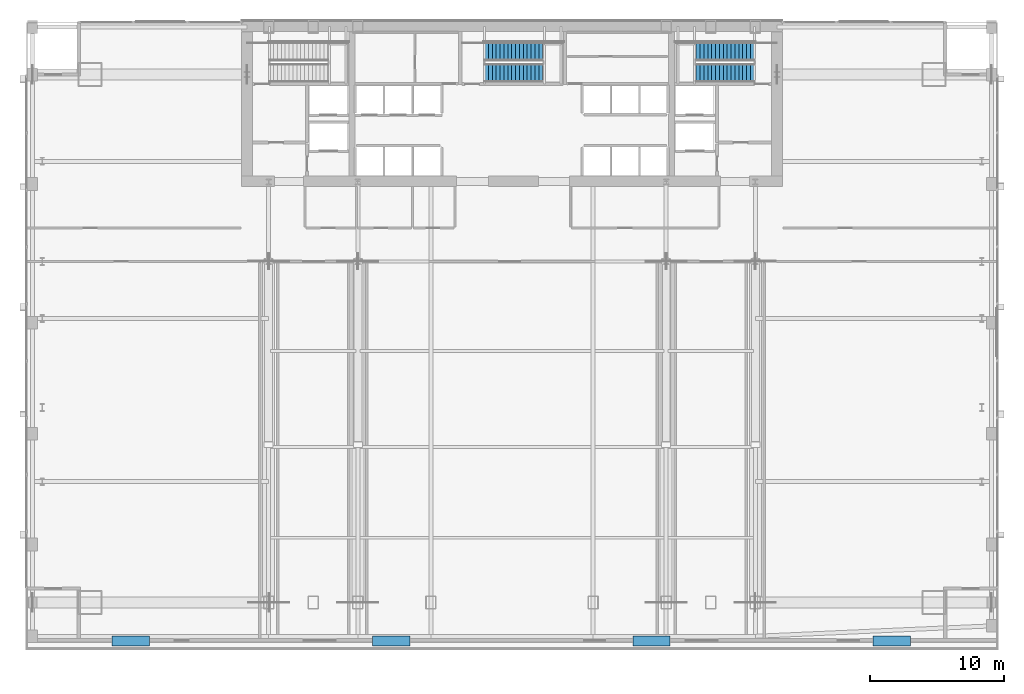
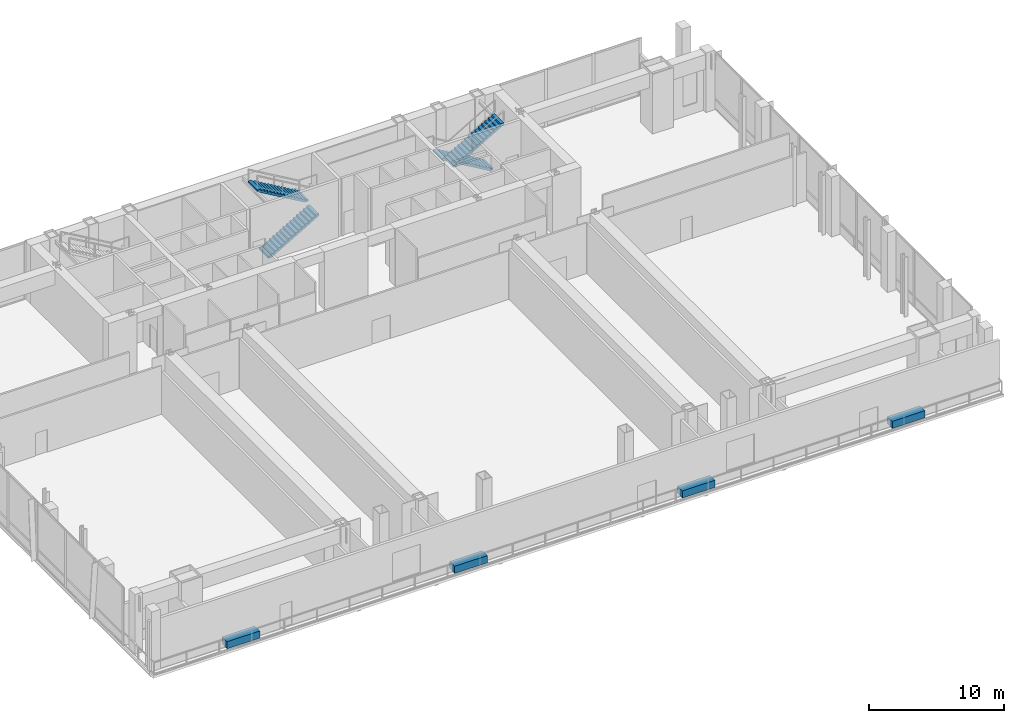
# One storey, part 23 of 26: 4 discrete accessories, 4 stair flights, 2 elements without a shape of their own.
"""IFC4 building model written with IfcOpenShell, lengths in metres."""

from ifc_helpers import new_model, si_unit, direction, frame, origin, place, context, subcontext, project, spatial, polyline, outline, extrude, material, type_object, element, aggregate, save


model = new_model("IFC4")

# Units and contexts
model_context = context("Model", 3, precision=1e-05, world=origin(), true_north=direction((0.0, 1.0)))
body_context = subcontext(model_context, "Body", "Model", "MODEL_VIEW")
ifc_project = project(units=[si_unit("LENGTHUNIT", "METRE"), si_unit("AREAUNIT", "SQUARE_METRE"), si_unit("VOLUMEUNIT", "CUBIC_METRE"), si_unit("PLANEANGLEUNIT", "RADIAN"), si_unit("MASSUNIT", "GRAM", prefix="KILO")], contexts=[model_context])

# Site, building, storey
site_placement = place(None, origin())
site = spatial("IfcSite", under=ifc_project, at=site_placement, CompositionType="ELEMENT")
building_placement = place(site_placement, origin())
building = spatial("IfcBuilding", under=site, at=building_placement, Name="Khoronbel Lancet Exchange", CompositionType="ELEMENT")
storey_placement = place(building_placement, frame((0.0, 0.0, 20.39990234375)))
storey = spatial("IfcBuildingStorey", under=building, at=storey_placement, Name="L04", CompositionType="ELEMENT", Elevation=20.39990234375)

# Stair, stair flights
ifc_material_1 = material(Name="Concrete C40/50", Category="concrete")
stair_type = type_object("IfcStairType", Name="STR-CORE150", PredefinedType="HALF_TURN_STAIR", material=ifc_material_1)
stair_1_placement = place(storey_placement, origin())
stair_1 = element("IfcStair", 1, at=stair_1_placement, inside=storey, type_object=stair_type, Name="L04 Protected Exit Stair ST2", PredefinedType="HALF_TURN_STAIR")
stair_flight_type = type_object("IfcStairFlightType", Name="STF-150", PredefinedType="STRAIGHT", material=ifc_material_1)
stair_flight_1_placement = place(storey_placement, frame((54.60009765625, 51.409912109375, 0.0), z_axis=(0.0, 0.0, 1.0), x_axis=(-1.0, 0.0, 0.0)))
stair_flight_1 = element("IfcStairFlight", 2, at=stair_flight_1_placement, type_object=stair_flight_type, Name="ST2 flight 1", NumberOfRisers=16, NumberOfTreads=15, PredefinedType="STRAIGHT", RiserHeight=0.16875, TreadLength=0.29, context=body_context, shape_type="SweptSolid", body=[
    extrude(outline(polyline([(0.0, 0.0), (0.0, 0.168701171875), (0.2900390625, 0.168701171875), (0.2900390625, 0.33740234375), (0.580078125, 0.33740234375), (0.580078125, 0.50634765625), (0.8701171875, 0.50634765625), (0.8701171875, 0.675048828125), (1.159912109375, 0.675048828125), (1.159912109375, 0.84375), (1.449951171875, 0.84375), (1.449951171875, 1.012451171875), (1.739990234375, 1.012451171875), (1.739990234375, 1.18115234375), (2.030029296875, 1.18115234375), (2.030029296875, 1.35009765625), (2.320068359375, 1.35009765625), (2.320068359375, 1.518798828125), (2.610107421875, 1.518798828125), (2.610107421875, 1.6875), (2.89990234375, 1.6875), (2.89990234375, 1.856201171875), (3.18994140625, 1.856201171875), (3.18994140625, 2.02490234375), (3.47998046875, 2.02490234375), (3.47998046875, 2.19384765625), (3.77001953125, 2.19384765625), (3.77001953125, 2.362548828125), (4.06005859375, 2.362548828125), (4.06005859375, 2.53125), (4.35009765625, 2.53125), (4.35009765625, 2.699951171875), (4.35009765625, 2.35791015625), (0.298095703125, 0.0), (0.0, 0.0)])), frame((0.0, 0.68994140625, 0.0), z_axis=(0.0, -1.0, 0.0), x_axis=(1.0, 0.0, 0.0)), (0.0, 0.0, 1.0), 1.3798828125),
])
stair_flight_2_placement = place(storey_placement, frame((50.25, 49.81005859375, 2.7001953125), z_axis=(0.0, 0.0, 1.0), x_axis=(1.0, 0.0, 0.0)))
stair_flight_2 = element("IfcStairFlight", 3, at=stair_flight_2_placement, type_object=stair_flight_type, Name="ST2 flight 2", NumberOfRisers=16, NumberOfTreads=15, PredefinedType="STRAIGHT", RiserHeight=0.16875, TreadLength=0.29, context=body_context, shape_type="SweptSolid", body=[
    extrude(outline(polyline([(0.0, 0.0), (0.0, 0.168701171875), (0.2900390625, 0.168701171875), (0.2900390625, 0.33740234375), (0.580078125, 0.33740234375), (0.580078125, 0.50634765625), (0.8701171875, 0.50634765625), (0.8701171875, 0.675048828125), (1.159912109375, 0.675048828125), (1.159912109375, 0.84375), (1.449951171875, 0.84375), (1.449951171875, 1.012451171875), (1.739990234375, 1.012451171875), (1.739990234375, 1.18115234375), (2.030029296875, 1.18115234375), (2.030029296875, 1.35009765625), (2.320068359375, 1.35009765625), (2.320068359375, 1.518798828125), (2.610107421875, 1.518798828125), (2.610107421875, 1.6875), (2.89990234375, 1.6875), (2.89990234375, 1.856201171875), (3.18994140625, 1.856201171875), (3.18994140625, 2.02490234375), (3.47998046875, 2.02490234375), (3.47998046875, 2.19384765625), (3.77001953125, 2.19384765625), (3.77001953125, 2.362548828125), (4.06005859375, 2.362548828125), (4.06005859375, 2.53125), (4.35009765625, 2.53125), (4.35009765625, 2.699951171875), (4.35009765625, 2.35791015625), (0.298095703125, 0.0), (0.0, 0.0)])), frame((0.0, 0.68994140625, 0.0), z_axis=(0.0, -1.0, 0.0), x_axis=(1.0, 0.0, 0.0)), (0.0, 0.0, 1.0), 1.3798828125),
])
aggregate(stair_1, [stair_flight_1, stair_flight_2])

stair_2_placement = place(storey_placement, origin())
stair_2 = element("IfcStair", 4, at=stair_2_placement, inside=storey, type_object=stair_type, Name="L04 Protected Exit Stair ST3", PredefinedType="HALF_TURN_STAIR")
stair_flight_3_placement = place(storey_placement, frame((34.39990234375, 49.81005859375, 0.0), z_axis=(0.0, 0.0, 1.0), x_axis=(1.0, 0.0, 0.0)))
stair_flight_3 = element("IfcStairFlight", 5, at=stair_flight_3_placement, type_object=stair_flight_type, Name="ST3 flight 1", NumberOfRisers=16, NumberOfTreads=15, PredefinedType="STRAIGHT", RiserHeight=0.16875, TreadLength=0.29, context=body_context, shape_type="SweptSolid", body=[
    extrude(outline(polyline([(0.0, 0.0), (0.0, 0.168701171875), (0.2900390625, 0.168701171875), (0.2900390625, 0.33740234375), (0.580078125, 0.33740234375), (0.580078125, 0.50634765625), (0.8701171875, 0.50634765625), (0.8701171875, 0.675048828125), (1.159912109375, 0.675048828125), (1.159912109375, 0.84375), (1.449951171875, 0.84375), (1.449951171875, 1.012451171875), (1.739990234375, 1.012451171875), (1.739990234375, 1.18115234375), (2.030029296875, 1.18115234375), (2.030029296875, 1.35009765625), (2.320068359375, 1.35009765625), (2.320068359375, 1.518798828125), (2.610107421875, 1.518798828125), (2.610107421875, 1.6875), (2.89990234375, 1.6875), (2.89990234375, 1.856201171875), (3.18994140625, 1.856201171875), (3.18994140625, 2.02490234375), (3.47998046875, 2.02490234375), (3.47998046875, 2.19384765625), (3.77001953125, 2.19384765625), (3.77001953125, 2.362548828125), (4.06005859375, 2.362548828125), (4.06005859375, 2.53125), (4.35009765625, 2.53125), (4.35009765625, 2.699951171875), (4.35009765625, 2.35791015625), (0.298095703125, 0.0), (0.0, 0.0)])), frame((0.0, 0.68994140625, 0.0), z_axis=(0.0, -1.0, 0.0), x_axis=(1.0, 0.0, 0.0)), (0.0, 0.0, 1.0), 1.3798828125),
])
stair_flight_4_placement = place(storey_placement, frame((38.75, 51.409912109375, 2.7001953125), z_axis=(0.0, 0.0, 1.0), x_axis=(-1.0, 0.0, 0.0)))
stair_flight_4 = element("IfcStairFlight", 6, at=stair_flight_4_placement, type_object=stair_flight_type, Name="ST3 flight 2", NumberOfRisers=16, NumberOfTreads=15, PredefinedType="STRAIGHT", RiserHeight=0.16875, TreadLength=0.29, context=body_context, shape_type="SweptSolid", body=[
    extrude(outline(polyline([(0.0, 0.0), (0.0, 0.168701171875), (0.2900390625, 0.168701171875), (0.2900390625, 0.33740234375), (0.580078125, 0.33740234375), (0.580078125, 0.50634765625), (0.8701171875, 0.50634765625), (0.8701171875, 0.675048828125), (1.159912109375, 0.675048828125), (1.159912109375, 0.84375), (1.449951171875, 0.84375), (1.449951171875, 1.012451171875), (1.739990234375, 1.012451171875), (1.739990234375, 1.18115234375), (2.030029296875, 1.18115234375), (2.030029296875, 1.35009765625), (2.320068359375, 1.35009765625), (2.320068359375, 1.518798828125), (2.610107421875, 1.518798828125), (2.610107421875, 1.6875), (2.89990234375, 1.6875), (2.89990234375, 1.856201171875), (3.18994140625, 1.856201171875), (3.18994140625, 2.02490234375), (3.47998046875, 2.02490234375), (3.47998046875, 2.19384765625), (3.77001953125, 2.19384765625), (3.77001953125, 2.362548828125), (4.06005859375, 2.362548828125), (4.06005859375, 2.53125), (4.35009765625, 2.53125), (4.35009765625, 2.699951171875), (4.35009765625, 2.35791015625), (0.298095703125, 0.0), (0.0, 0.0)])), frame((0.0, 0.68994140625, 0.0), z_axis=(0.0, -1.0, 0.0), x_axis=(1.0, 0.0, 0.0)), (0.0, 0.0, 1.0), 1.3798828125),
])
aggregate(stair_2, [stair_flight_3, stair_flight_4])

# Discrete accessories
ifc_material_2 = material(Name="Precast concrete C40/50", Category="concrete")
discrete_accessory_type = type_object("IfcDiscreteAccessoryType", Name="BLP-PLN1", PredefinedType="USERDEFINED", material=ifc_material_2)
discrete_accessory_1_placement = place(storey_placement, origin())
element("IfcDiscreteAccessory", 7, at=discrete_accessory_1_placement, inside=storey, type_object=discrete_accessory_type, Name="Level L04 irrigated terrace planter box 1", ObjectType="PLANTER", PredefinedType="USERDEFINED", context=body_context, shape_type="SweptSolid", body=[
    extrude(outline(polyline([(6.5, 6.89990234375), (9.300048828125, 6.89990234375), (9.300048828125, 7.64990234375), (6.5, 7.64990234375), (6.5, 6.89990234375)])), origin(), (0.0, 0.0, 1.0), 0.650146484375),
])
discrete_accessory_2_placement = place(storey_placement, origin())
element("IfcDiscreteAccessory", 8, at=discrete_accessory_2_placement, inside=storey, type_object=discrete_accessory_type, Name="Level L04 irrigated terrace planter box 2", ObjectType="PLANTER", PredefinedType="USERDEFINED", context=body_context, shape_type="SweptSolid", body=[
    extrude(outline(polyline([(26.0, 6.89990234375), (28.800048828125, 6.89990234375), (28.800048828125, 7.64990234375), (26.0, 7.64990234375), (26.0, 6.89990234375)])), origin(), (0.0, 0.0, 1.0), 0.650146484375),
])
discrete_accessory_3_placement = place(storey_placement, origin())
element("IfcDiscreteAccessory", 9, at=discrete_accessory_3_placement, inside=storey, type_object=discrete_accessory_type, Name="Level L04 irrigated terrace planter box 3", ObjectType="PLANTER", PredefinedType="USERDEFINED", context=body_context, shape_type="SweptSolid", body=[
    extrude(outline(polyline([(45.5, 6.89990234375), (48.300048828125, 6.89990234375), (48.300048828125, 7.64990234375), (45.5, 7.64990234375), (45.5, 6.89990234375)])), origin(), (0.0, 0.0, 1.0), 0.650146484375),
])
discrete_accessory_4_placement = place(storey_placement, origin())
element("IfcDiscreteAccessory", 10, at=discrete_accessory_4_placement, inside=storey, type_object=discrete_accessory_type, Name="Level L04 irrigated terrace planter box 4", ObjectType="PLANTER", PredefinedType="USERDEFINED", context=body_context, shape_type="SweptSolid", body=[
    extrude(outline(polyline([(63.5, 6.89990234375), (66.300048828125, 6.89990234375), (66.300048828125, 7.64990234375), (63.5, 7.64990234375), (63.5, 6.89990234375)])), origin(), (0.0, 0.0, 1.0), 0.650146484375),
])

save(model, "model.ifc")
